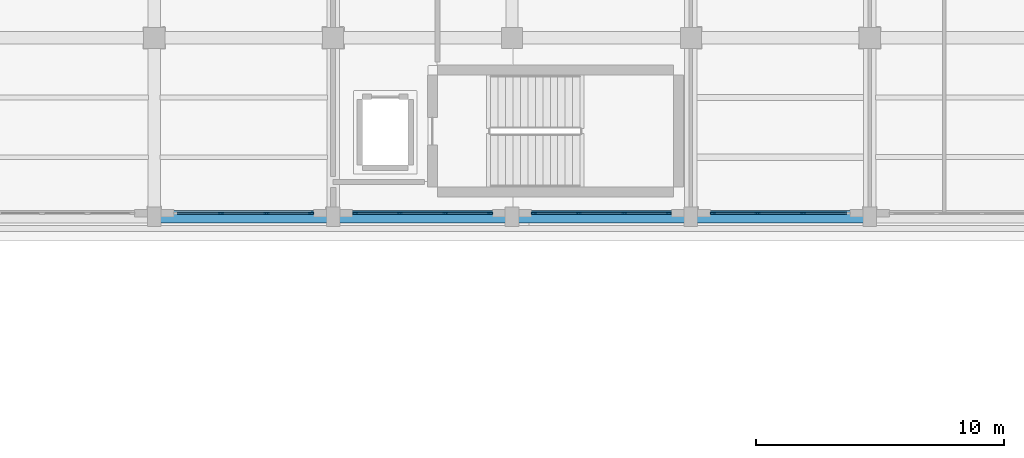
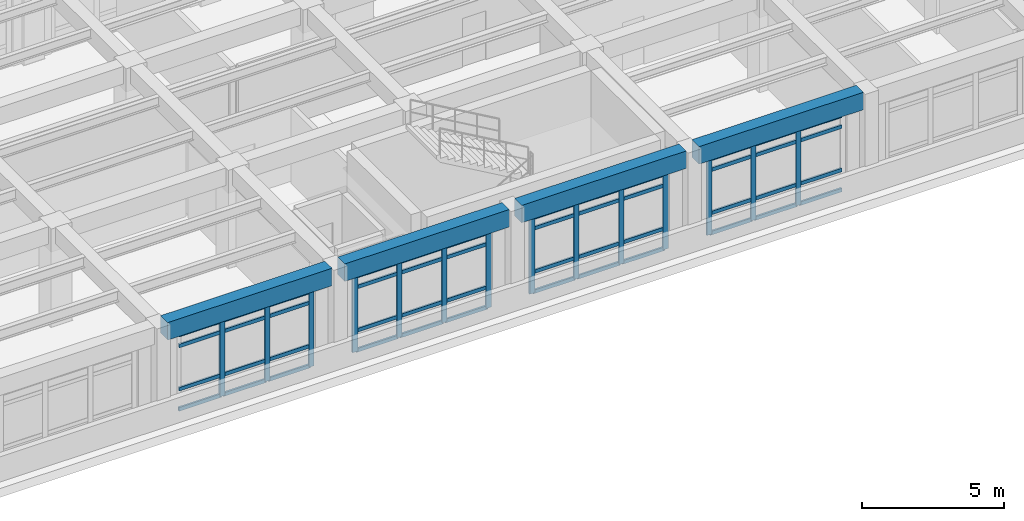
# One storey, part 22 of 69: 62 members, 4 beams, 4 elements without a shape of their own.
"""IFC4 building model written with IfcOpenShell, lengths in metres."""

from ifc_helpers import new_model, si_unit, direction, frame, origin, origin_2d, place, context, subcontext, project, spatial, rectangle, extrude, material, layer, layer_set, material_profile, profile_set, type_object, element, aggregate, save


model = new_model("IFC4")

# Units and contexts
model_context = context("Model", 3, precision=1e-05, world=origin(), true_north=direction((0.0, 1.0)))
body_context = subcontext(model_context, "Body", "Model", "MODEL_VIEW")
ifc_project = project(units=[si_unit("LENGTHUNIT", "METRE"), si_unit("AREAUNIT", "SQUARE_METRE"), si_unit("VOLUMEUNIT", "CUBIC_METRE"), si_unit("PLANEANGLEUNIT", "RADIAN"), si_unit("MASSUNIT", "GRAM", prefix="KILO")], contexts=[model_context])

# Site, building, storey
site_placement = place(None, origin())
site = spatial("IfcSite", under=ifc_project, at=site_placement, CompositionType="ELEMENT")
building_placement = place(site_placement, origin())
building = spatial("IfcBuilding", under=site, at=building_placement, Name="Solenvale Faculty of Natural Sciences", CompositionType="ELEMENT")
storey_placement = place(building_placement, frame((0.0, 0.0, 4.5)))
storey = spatial("IfcBuildingStorey", under=building, at=storey_placement, Name="L01", CompositionType="ELEMENT", Elevation=4.5)

# Beams
ifc_material_1 = material(Name="Concrete 40 MPa", Category="concrete")
ifc_material_profile_1 = material_profile(ifc_material_1, rectangle(XDim=0.5, YDim=0.75, at=origin_2d()), Name="RC-BM-500x750")
ifc_profile_set_1 = profile_set([ifc_material_profile_1], Name="Concrete 40 MPa")
beam_type = type_object("IfcBeamType", Name="BM-RC-500x750", PredefinedType="BEAM", material=ifc_profile_set_1)
beam_1_placement = place(storey_placement, frame((93.85498046875, 93.60009765625, 3.844970703125), z_axis=(1.0, 0.0, 0.0), x_axis=(0.0, 1.0, 0.0)))
element("IfcBeam", 1, at=beam_1_placement, inside=storey, type_object=beam_type, Name="L01 X-Girder Y93.6 (93.6..100.8)", PredefinedType="BEAM", context=body_context, shape_type="SweptSolid", body=[
    extrude(rectangle(XDim=0.5, YDim=0.75, at=origin_2d()), origin(), (0.0, 0.0, 1.0), 6.68994140625),
])
for number, where, z_axis, x_axis, name in (
    (2, (101.054931640625, 93.60009765625, 3.844970703125), (1.0, 0.0, 0.0), (0.0, 1.0, 0.0), "L01 X-Girder Y93.6 (100.8..108.0)"),
    (3, (108.2548828125, 93.60009765625, 3.844970703125), (1.0, 0.0, 0.0), (0.0, 1.0, 0.0), "L01 X-Girder Y93.6 (108.0..115.2)"),
):
    element("IfcBeam", number, at=place(storey_placement, frame(where, z_axis=z_axis, x_axis=x_axis)), inside=storey, type_object=beam_type, Name=name, PredefinedType="BEAM", context=body_context, shape_type="SweptSolid", body=[
        extrude(rectangle(XDim=0.5, YDim=0.75, at=origin_2d()), origin(), (0.0, 0.0, 1.0), 6.690185546875),
    ])
beam_2_placement = place(storey_placement, frame((115.455078125, 93.60009765625, 3.844970703125), z_axis=(1.0, 0.0, 0.0), x_axis=(0.0, 1.0, 0.0)))
element("IfcBeam", 4, at=beam_2_placement, inside=storey, type_object=beam_type, Name="L01 X-Girder Y93.6 (115.2..122.4)", PredefinedType="BEAM", context=body_context, shape_type="SweptSolid", body=[
    extrude(rectangle(XDim=0.5, YDim=0.75, at=origin_2d()), origin(), (0.0, 0.0, 1.0), 6.68994140625),
])

# Curtain wall, members
ifc_material_2 = material(Name="Anodised bronze aluminium", Category="aluminium")
ifc_layer = layer(ifc_material_2, 0.179931640625)
ifc_layer_set = layer_set([ifc_layer], Name="Anodised bronze aluminium")
curtain_wall_type = type_object("IfcCurtainWallType", Name="CW-TWR-MOD", PredefinedType="USERDEFINED", material=ifc_layer_set)
curtain_wall_1_placement = place(storey_placement, origin())
curtain_wall_1 = element("IfcCurtainWall", 5, at=curtain_wall_1_placement, inside=storey, type_object=curtain_wall_type, Name="L01 Curtain Wall CW-L01-P2-E6-B3", ObjectType="UNITISED CURTAIN WALL", PredefinedType="USERDEFINED")
ifc_material_profile_2 = material_profile(ifc_material_2, rectangle(XDim=0.074951171875, YDim=0.2099609375, at=origin_2d()), Name="ALU-MUL-75x210")
ifc_profile_set_2 = profile_set([ifc_material_profile_2], Name="Anodised bronze aluminium")
member_type_1 = type_object("IfcMemberType", Name="CWM-ALU-75x210", PredefinedType="MULLION", material=ifc_profile_set_2)
member_1_placement = place(storey_placement, frame((96.283447265625, 93.742431640625, 0.0), z_axis=(0.0, 0.0, 1.0), x_axis=(0.0, 1.0, 0.0)))
member_1 = element("IfcMember", 6, at=member_1_placement, type_object=member_type_1, Name="CW-04 mullion 2", PredefinedType="MULLION", context=body_context, shape_type="SweptSolid", body=[
    extrude(rectangle(XDim=0.074951171875, YDim=0.2099609375, at=origin_2d()), origin(), (0.0, 0.0, 1.0), 3.260009765625),
])
member_2_placement = place(storey_placement, frame((98.11669921875, 93.742431640625, 0.0), z_axis=(0.0, 0.0, 1.0), x_axis=(0.0, 1.0, 0.0)))
member_2 = element("IfcMember", 7, at=member_2_placement, type_object=member_type_1, Name="CW-04 mullion 3", PredefinedType="MULLION", context=body_context, shape_type="SweptSolid", body=[
    extrude(rectangle(XDim=0.074951171875, YDim=0.2099609375, at=origin_2d()), origin(), (0.0, 0.0, 1.0), 3.260009765625),
])
member_3_placement = place(storey_placement, frame((99.91259765625, 93.742431640625, 0.0), z_axis=(0.0, 0.0, 1.0), x_axis=(0.0, 1.0, 0.0)))
member_3 = element("IfcMember", 8, at=member_3_placement, type_object=member_type_1, Name="CW-04 mullion 4", PredefinedType="MULLION", context=body_context, shape_type="SweptSolid", body=[
    extrude(rectangle(XDim=0.074951171875, YDim=0.2099609375, at=origin_2d()), origin(), (0.0, 0.0, 1.0), 3.260009765625),
])

curtain_wall_2_placement = place(storey_placement, origin())
curtain_wall_2 = element("IfcCurtainWall", 9, at=curtain_wall_2_placement, inside=storey, type_object=curtain_wall_type, Name="L01 Curtain Wall CW-L01-P2-E6-B4", ObjectType="UNITISED CURTAIN WALL", PredefinedType="USERDEFINED")
member_4_placement = place(storey_placement, frame((101.6875, 93.742431640625, 0.0), z_axis=(0.0, 0.0, 1.0), x_axis=(0.0, 1.0, 0.0)))
member_4 = element("IfcMember", 10, at=member_4_placement, type_object=member_type_1, Name="CW-04 mullion 1", PredefinedType="MULLION", context=body_context, shape_type="SweptSolid", body=[
    extrude(rectangle(XDim=0.074951171875, YDim=0.2099609375, at=origin_2d()), origin(), (0.0, 0.0, 1.0), 3.260009765625),
])
member_5_placement = place(storey_placement, frame((103.4833984375, 93.742431640625, 0.0), z_axis=(0.0, 0.0, 1.0), x_axis=(0.0, 1.0, 0.0)))
member_5 = element("IfcMember", 11, at=member_5_placement, type_object=member_type_1, Name="CW-04 mullion 2", PredefinedType="MULLION", context=body_context, shape_type="SweptSolid", body=[
    extrude(rectangle(XDim=0.074951171875, YDim=0.2099609375, at=origin_2d()), origin(), (0.0, 0.0, 1.0), 3.260009765625),
])
member_6_placement = place(storey_placement, frame((105.316650390625, 93.742431640625, 0.0), z_axis=(0.0, 0.0, 1.0), x_axis=(0.0, 1.0, 0.0)))
member_6 = element("IfcMember", 12, at=member_6_placement, type_object=member_type_1, Name="CW-04 mullion 3", PredefinedType="MULLION", context=body_context, shape_type="SweptSolid", body=[
    extrude(rectangle(XDim=0.074951171875, YDim=0.2099609375, at=origin_2d()), origin(), (0.0, 0.0, 1.0), 3.260009765625),
])
member_7_placement = place(storey_placement, frame((107.112548828125, 93.742431640625, 0.0), z_axis=(0.0, 0.0, 1.0), x_axis=(0.0, 1.0, 0.0)))
member_7 = element("IfcMember", 13, at=member_7_placement, type_object=member_type_1, Name="CW-04 mullion 4", PredefinedType="MULLION", context=body_context, shape_type="SweptSolid", body=[
    extrude(rectangle(XDim=0.074951171875, YDim=0.2099609375, at=origin_2d()), origin(), (0.0, 0.0, 1.0), 3.260009765625),
])

curtain_wall_3_placement = place(storey_placement, origin())
curtain_wall_3 = element("IfcCurtainWall", 14, at=curtain_wall_3_placement, inside=storey, type_object=curtain_wall_type, Name="L01 Curtain Wall CW-L01-P2-E6-B5", ObjectType="UNITISED CURTAIN WALL", PredefinedType="USERDEFINED")
member_8_placement = place(storey_placement, frame((108.887451171875, 93.742431640625, 0.0), z_axis=(0.0, 0.0, 1.0), x_axis=(0.0, 1.0, 0.0)))
member_8 = element("IfcMember", 15, at=member_8_placement, type_object=member_type_1, Name="CW-04 mullion 1", PredefinedType="MULLION", context=body_context, shape_type="SweptSolid", body=[
    extrude(rectangle(XDim=0.074951171875, YDim=0.2099609375, at=origin_2d()), origin(), (0.0, 0.0, 1.0), 3.260009765625),
])
member_9_placement = place(storey_placement, frame((110.683349609375, 93.742431640625, 0.0), z_axis=(0.0, 0.0, 1.0), x_axis=(0.0, 1.0, 0.0)))
member_9 = element("IfcMember", 16, at=member_9_placement, type_object=member_type_1, Name="CW-04 mullion 2", PredefinedType="MULLION", context=body_context, shape_type="SweptSolid", body=[
    extrude(rectangle(XDim=0.074951171875, YDim=0.2099609375, at=origin_2d()), origin(), (0.0, 0.0, 1.0), 3.260009765625),
])
member_10_placement = place(storey_placement, frame((112.5166015625, 93.742431640625, 0.0), z_axis=(0.0, 0.0, 1.0), x_axis=(0.0, 1.0, 0.0)))
member_10 = element("IfcMember", 17, at=member_10_placement, type_object=member_type_1, Name="CW-04 mullion 3", PredefinedType="MULLION", context=body_context, shape_type="SweptSolid", body=[
    extrude(rectangle(XDim=0.074951171875, YDim=0.2099609375, at=origin_2d()), origin(), (0.0, 0.0, 1.0), 3.260009765625),
])
member_11_placement = place(storey_placement, frame((114.3125, 93.742431640625, 0.0), z_axis=(0.0, 0.0, 1.0), x_axis=(0.0, 1.0, 0.0)))
member_11 = element("IfcMember", 18, at=member_11_placement, type_object=member_type_1, Name="CW-04 mullion 4", PredefinedType="MULLION", context=body_context, shape_type="SweptSolid", body=[
    extrude(rectangle(XDim=0.074951171875, YDim=0.2099609375, at=origin_2d()), origin(), (0.0, 0.0, 1.0), 3.260009765625),
])

curtain_wall_4_placement = place(storey_placement, origin())
curtain_wall_4 = element("IfcCurtainWall", 19, at=curtain_wall_4_placement, inside=storey, type_object=curtain_wall_type, Name="L01 Curtain Wall CW-L01-P2-E6-B6", ObjectType="UNITISED CURTAIN WALL", PredefinedType="USERDEFINED")
member_12_placement = place(storey_placement, frame((116.08740234375, 93.742431640625, 0.0), z_axis=(0.0, 0.0, 1.0), x_axis=(0.0, 1.0, 0.0)))
member_12 = element("IfcMember", 20, at=member_12_placement, type_object=member_type_1, Name="CW-04 mullion 1", PredefinedType="MULLION", context=body_context, shape_type="SweptSolid", body=[
    extrude(rectangle(XDim=0.074951171875, YDim=0.2099609375, at=origin_2d()), origin(), (0.0, 0.0, 1.0), 3.260009765625),
])
member_13_placement = place(storey_placement, frame((117.88330078125, 93.742431640625, 0.0), z_axis=(0.0, 0.0, 1.0), x_axis=(0.0, 1.0, 0.0)))
member_13 = element("IfcMember", 21, at=member_13_placement, type_object=member_type_1, Name="CW-04 mullion 2", PredefinedType="MULLION", context=body_context, shape_type="SweptSolid", body=[
    extrude(rectangle(XDim=0.074951171875, YDim=0.2099609375, at=origin_2d()), origin(), (0.0, 0.0, 1.0), 3.260009765625),
])
member_14_placement = place(storey_placement, frame((119.716552734375, 93.742431640625, 0.0), z_axis=(0.0, 0.0, 1.0), x_axis=(0.0, 1.0, 0.0)))
member_14 = element("IfcMember", 22, at=member_14_placement, type_object=member_type_1, Name="CW-04 mullion 3", PredefinedType="MULLION", context=body_context, shape_type="SweptSolid", body=[
    extrude(rectangle(XDim=0.074951171875, YDim=0.2099609375, at=origin_2d()), origin(), (0.0, 0.0, 1.0), 3.260009765625),
])

# Member
ifc_material_profile_3 = material_profile(ifc_material_2, rectangle(XDim=0.074951171875, YDim=0.155029296875, at=origin_2d()), Name="ALU-TRN-75x155")
ifc_profile_set_3 = profile_set([ifc_material_profile_3], Name="Anodised bronze aluminium")
member_type_2 = type_object("IfcMemberType", Name="CWT-ALU-75x155", PredefinedType="USERDEFINED", material=ifc_profile_set_3)
member_15_placement = place(storey_placement, frame((94.52490234375, 93.742431640625, 0.03759765625), z_axis=(1.0, 0.0, 0.0), x_axis=(0.0, 1.0, 0.0)))
member_15 = element("IfcMember", 23, at=member_15_placement, type_object=member_type_2, Name="CW-04 transom 1.1", ObjectType="TRANSOM", PredefinedType="USERDEFINED", context=body_context, shape_type="SweptSolid", body=[
    extrude(rectangle(XDim=0.074951171875, YDim=0.155029296875, at=origin_2d()), origin(), (0.0, 0.0, 1.0), 1.720947265625),
])

member_16_placement = place(storey_placement, frame((94.52490234375, 93.742431640625, 0.89990234375), z_axis=(1.0, 0.0, 0.0), x_axis=(0.0, 1.0, 0.0)))
member_16 = element("IfcMember", 24, at=member_16_placement, type_object=member_type_2, Name="CW-04 transom 1.2", ObjectType="TRANSOM", PredefinedType="USERDEFINED", context=body_context, shape_type="SweptSolid", body=[
    extrude(rectangle(XDim=0.074951171875, YDim=0.155029296875, at=origin_2d()), origin(), (0.0, 0.0, 1.0), 1.720947265625),
])

member_17_placement = place(storey_placement, frame((94.52490234375, 93.742431640625, 2.760009765625), z_axis=(1.0, 0.0, 0.0), x_axis=(0.0, 1.0, 0.0)))
member_17 = element("IfcMember", 25, at=member_17_placement, type_object=member_type_2, Name="CW-04 transom 1.3", ObjectType="TRANSOM", PredefinedType="USERDEFINED", context=body_context, shape_type="SweptSolid", body=[
    extrude(rectangle(XDim=0.074951171875, YDim=0.155029296875, at=origin_2d()), origin(), (0.0, 0.0, 1.0), 1.720947265625),
])

member_18_placement = place(storey_placement, frame((94.52490234375, 93.742431640625, 3.222412109375), z_axis=(1.0, 0.0, 0.0), x_axis=(0.0, 1.0, 0.0)))
member_18 = element("IfcMember", 26, at=member_18_placement, type_object=member_type_2, Name="CW-04 transom 1.4", ObjectType="TRANSOM", PredefinedType="USERDEFINED", context=body_context, shape_type="SweptSolid", body=[
    extrude(rectangle(XDim=0.074951171875, YDim=0.155029296875, at=origin_2d()), origin(), (0.0, 0.0, 1.0), 1.720947265625),
])

member_19_placement = place(storey_placement, frame((96.32080078125, 93.742431640625, 0.03759765625), z_axis=(1.0, 0.0, 0.0), x_axis=(0.0, 1.0, 0.0)))
member_19 = element("IfcMember", 27, at=member_19_placement, type_object=member_type_2, Name="CW-04 transom 2.1", ObjectType="TRANSOM", PredefinedType="USERDEFINED", context=body_context, shape_type="SweptSolid", body=[
    extrude(rectangle(XDim=0.074951171875, YDim=0.155029296875, at=origin_2d()), origin(), (0.0, 0.0, 1.0), 1.75830078125),
])

member_20_placement = place(storey_placement, frame((96.32080078125, 93.742431640625, 0.89990234375), z_axis=(1.0, 0.0, 0.0), x_axis=(0.0, 1.0, 0.0)))
member_20 = element("IfcMember", 28, at=member_20_placement, type_object=member_type_2, Name="CW-04 transom 2.2", ObjectType="TRANSOM", PredefinedType="USERDEFINED", context=body_context, shape_type="SweptSolid", body=[
    extrude(rectangle(XDim=0.074951171875, YDim=0.155029296875, at=origin_2d()), origin(), (0.0, 0.0, 1.0), 1.75830078125),
])

member_21_placement = place(storey_placement, frame((96.32080078125, 93.742431640625, 2.760009765625), z_axis=(1.0, 0.0, 0.0), x_axis=(0.0, 1.0, 0.0)))
member_21 = element("IfcMember", 29, at=member_21_placement, type_object=member_type_2, Name="CW-04 transom 2.3", ObjectType="TRANSOM", PredefinedType="USERDEFINED", context=body_context, shape_type="SweptSolid", body=[
    extrude(rectangle(XDim=0.074951171875, YDim=0.155029296875, at=origin_2d()), origin(), (0.0, 0.0, 1.0), 1.75830078125),
])

member_22_placement = place(storey_placement, frame((96.32080078125, 93.742431640625, 3.222412109375), z_axis=(1.0, 0.0, 0.0), x_axis=(0.0, 1.0, 0.0)))
member_22 = element("IfcMember", 30, at=member_22_placement, type_object=member_type_2, Name="CW-04 transom 2.4", ObjectType="TRANSOM", PredefinedType="USERDEFINED", context=body_context, shape_type="SweptSolid", body=[
    extrude(rectangle(XDim=0.074951171875, YDim=0.155029296875, at=origin_2d()), origin(), (0.0, 0.0, 1.0), 1.75830078125),
])

member_23_placement = place(storey_placement, frame((98.154052734375, 93.742431640625, 0.03759765625), z_axis=(1.0, 0.0, 0.0), x_axis=(0.0, 1.0, 0.0)))
member_23 = element("IfcMember", 31, at=member_23_placement, type_object=member_type_2, Name="CW-04 transom 3.1", ObjectType="TRANSOM", PredefinedType="USERDEFINED", context=body_context, shape_type="SweptSolid", body=[
    extrude(rectangle(XDim=0.074951171875, YDim=0.155029296875, at=origin_2d()), origin(), (0.0, 0.0, 1.0), 1.720947265625),
])

member_24_placement = place(storey_placement, frame((98.154052734375, 93.742431640625, 0.89990234375), z_axis=(1.0, 0.0, 0.0), x_axis=(0.0, 1.0, 0.0)))
member_24 = element("IfcMember", 32, at=member_24_placement, type_object=member_type_2, Name="CW-04 transom 3.2", ObjectType="TRANSOM", PredefinedType="USERDEFINED", context=body_context, shape_type="SweptSolid", body=[
    extrude(rectangle(XDim=0.074951171875, YDim=0.155029296875, at=origin_2d()), origin(), (0.0, 0.0, 1.0), 1.720947265625),
])

member_25_placement = place(storey_placement, frame((98.154052734375, 93.742431640625, 2.760009765625), z_axis=(1.0, 0.0, 0.0), x_axis=(0.0, 1.0, 0.0)))
member_25 = element("IfcMember", 33, at=member_25_placement, type_object=member_type_2, Name="CW-04 transom 3.3", ObjectType="TRANSOM", PredefinedType="USERDEFINED", context=body_context, shape_type="SweptSolid", body=[
    extrude(rectangle(XDim=0.074951171875, YDim=0.155029296875, at=origin_2d()), origin(), (0.0, 0.0, 1.0), 1.720947265625),
])

member_26_placement = place(storey_placement, frame((98.154052734375, 93.742431640625, 3.222412109375), z_axis=(1.0, 0.0, 0.0), x_axis=(0.0, 1.0, 0.0)))
member_26 = element("IfcMember", 34, at=member_26_placement, type_object=member_type_2, Name="CW-04 transom 3.4", ObjectType="TRANSOM", PredefinedType="USERDEFINED", context=body_context, shape_type="SweptSolid", body=[
    extrude(rectangle(XDim=0.074951171875, YDim=0.155029296875, at=origin_2d()), origin(), (0.0, 0.0, 1.0), 1.720947265625),
])

aggregate(curtain_wall_1, [member_1, member_2, member_3, member_15, member_16, member_17, member_18, member_19, member_20, member_21, member_22, member_23, member_24, member_25, member_26])

member_27_placement = place(storey_placement, frame((101.72509765625, 93.742431640625, 0.03759765625), z_axis=(1.0, 0.0, 0.0), x_axis=(0.0, 1.0, 0.0)))
member_27 = element("IfcMember", 35, at=member_27_placement, type_object=member_type_2, Name="CW-04 transom 1.1", ObjectType="TRANSOM", PredefinedType="USERDEFINED", context=body_context, shape_type="SweptSolid", body=[
    extrude(rectangle(XDim=0.074951171875, YDim=0.155029296875, at=origin_2d()), origin(), (0.0, 0.0, 1.0), 1.720703125),
])

member_28_placement = place(storey_placement, frame((101.72509765625, 93.742431640625, 0.89990234375), z_axis=(1.0, 0.0, 0.0), x_axis=(0.0, 1.0, 0.0)))
member_28 = element("IfcMember", 36, at=member_28_placement, type_object=member_type_2, Name="CW-04 transom 1.2", ObjectType="TRANSOM", PredefinedType="USERDEFINED", context=body_context, shape_type="SweptSolid", body=[
    extrude(rectangle(XDim=0.074951171875, YDim=0.155029296875, at=origin_2d()), origin(), (0.0, 0.0, 1.0), 1.720703125),
])

member_29_placement = place(storey_placement, frame((101.72509765625, 93.742431640625, 2.760009765625), z_axis=(1.0, 0.0, 0.0), x_axis=(0.0, 1.0, 0.0)))
member_29 = element("IfcMember", 37, at=member_29_placement, type_object=member_type_2, Name="CW-04 transom 1.3", ObjectType="TRANSOM", PredefinedType="USERDEFINED", context=body_context, shape_type="SweptSolid", body=[
    extrude(rectangle(XDim=0.074951171875, YDim=0.155029296875, at=origin_2d()), origin(), (0.0, 0.0, 1.0), 1.720703125),
])

member_30_placement = place(storey_placement, frame((101.72509765625, 93.742431640625, 3.222412109375), z_axis=(1.0, 0.0, 0.0), x_axis=(0.0, 1.0, 0.0)))
member_30 = element("IfcMember", 38, at=member_30_placement, type_object=member_type_2, Name="CW-04 transom 1.4", ObjectType="TRANSOM", PredefinedType="USERDEFINED", context=body_context, shape_type="SweptSolid", body=[
    extrude(rectangle(XDim=0.074951171875, YDim=0.155029296875, at=origin_2d()), origin(), (0.0, 0.0, 1.0), 1.720703125),
])

member_31_placement = place(storey_placement, frame((103.520751953125, 93.742431640625, 0.03759765625), z_axis=(1.0, 0.0, 0.0), x_axis=(0.0, 1.0, 0.0)))
member_31 = element("IfcMember", 39, at=member_31_placement, type_object=member_type_2, Name="CW-04 transom 2.1", ObjectType="TRANSOM", PredefinedType="USERDEFINED", context=body_context, shape_type="SweptSolid", body=[
    extrude(rectangle(XDim=0.074951171875, YDim=0.155029296875, at=origin_2d()), origin(), (0.0, 0.0, 1.0), 1.75830078125),
])

member_32_placement = place(storey_placement, frame((103.520751953125, 93.742431640625, 0.89990234375), z_axis=(1.0, 0.0, 0.0), x_axis=(0.0, 1.0, 0.0)))
member_32 = element("IfcMember", 40, at=member_32_placement, type_object=member_type_2, Name="CW-04 transom 2.2", ObjectType="TRANSOM", PredefinedType="USERDEFINED", context=body_context, shape_type="SweptSolid", body=[
    extrude(rectangle(XDim=0.074951171875, YDim=0.155029296875, at=origin_2d()), origin(), (0.0, 0.0, 1.0), 1.75830078125),
])

member_33_placement = place(storey_placement, frame((103.520751953125, 93.742431640625, 2.760009765625), z_axis=(1.0, 0.0, 0.0), x_axis=(0.0, 1.0, 0.0)))
member_33 = element("IfcMember", 41, at=member_33_placement, type_object=member_type_2, Name="CW-04 transom 2.3", ObjectType="TRANSOM", PredefinedType="USERDEFINED", context=body_context, shape_type="SweptSolid", body=[
    extrude(rectangle(XDim=0.074951171875, YDim=0.155029296875, at=origin_2d()), origin(), (0.0, 0.0, 1.0), 1.75830078125),
])

member_34_placement = place(storey_placement, frame((103.520751953125, 93.742431640625, 3.222412109375), z_axis=(1.0, 0.0, 0.0), x_axis=(0.0, 1.0, 0.0)))
member_34 = element("IfcMember", 42, at=member_34_placement, type_object=member_type_2, Name="CW-04 transom 2.4", ObjectType="TRANSOM", PredefinedType="USERDEFINED", context=body_context, shape_type="SweptSolid", body=[
    extrude(rectangle(XDim=0.074951171875, YDim=0.155029296875, at=origin_2d()), origin(), (0.0, 0.0, 1.0), 1.75830078125),
])

member_35_placement = place(storey_placement, frame((105.354248046875, 93.742431640625, 0.03759765625), z_axis=(1.0, 0.0, 0.0), x_axis=(0.0, 1.0, 0.0)))
member_35 = element("IfcMember", 43, at=member_35_placement, type_object=member_type_2, Name="CW-04 transom 3.1", ObjectType="TRANSOM", PredefinedType="USERDEFINED", context=body_context, shape_type="SweptSolid", body=[
    extrude(rectangle(XDim=0.074951171875, YDim=0.155029296875, at=origin_2d()), origin(), (0.0, 0.0, 1.0), 1.720703125),
])

member_36_placement = place(storey_placement, frame((105.354248046875, 93.742431640625, 0.89990234375), z_axis=(1.0, 0.0, 0.0), x_axis=(0.0, 1.0, 0.0)))
member_36 = element("IfcMember", 44, at=member_36_placement, type_object=member_type_2, Name="CW-04 transom 3.2", ObjectType="TRANSOM", PredefinedType="USERDEFINED", context=body_context, shape_type="SweptSolid", body=[
    extrude(rectangle(XDim=0.074951171875, YDim=0.155029296875, at=origin_2d()), origin(), (0.0, 0.0, 1.0), 1.720703125),
])

member_37_placement = place(storey_placement, frame((105.354248046875, 93.742431640625, 2.760009765625), z_axis=(1.0, 0.0, 0.0), x_axis=(0.0, 1.0, 0.0)))
member_37 = element("IfcMember", 45, at=member_37_placement, type_object=member_type_2, Name="CW-04 transom 3.3", ObjectType="TRANSOM", PredefinedType="USERDEFINED", context=body_context, shape_type="SweptSolid", body=[
    extrude(rectangle(XDim=0.074951171875, YDim=0.155029296875, at=origin_2d()), origin(), (0.0, 0.0, 1.0), 1.720703125),
])

member_38_placement = place(storey_placement, frame((105.354248046875, 93.742431640625, 3.222412109375), z_axis=(1.0, 0.0, 0.0), x_axis=(0.0, 1.0, 0.0)))
member_38 = element("IfcMember", 46, at=member_38_placement, type_object=member_type_2, Name="CW-04 transom 3.4", ObjectType="TRANSOM", PredefinedType="USERDEFINED", context=body_context, shape_type="SweptSolid", body=[
    extrude(rectangle(XDim=0.074951171875, YDim=0.155029296875, at=origin_2d()), origin(), (0.0, 0.0, 1.0), 1.720703125),
])

aggregate(curtain_wall_2, [member_4, member_5, member_6, member_7, member_27, member_28, member_29, member_30, member_31, member_32, member_33, member_34, member_35, member_36, member_37, member_38])

member_39_placement = place(storey_placement, frame((108.925048828125, 93.742431640625, 0.03759765625), z_axis=(1.0, 0.0, 0.0), x_axis=(0.0, 1.0, 0.0)))
member_39 = element("IfcMember", 47, at=member_39_placement, type_object=member_type_2, Name="CW-04 transom 1.1", ObjectType="TRANSOM", PredefinedType="USERDEFINED", context=body_context, shape_type="SweptSolid", body=[
    extrude(rectangle(XDim=0.074951171875, YDim=0.155029296875, at=origin_2d()), origin(), (0.0, 0.0, 1.0), 1.720703125),
])

member_40_placement = place(storey_placement, frame((108.925048828125, 93.742431640625, 0.89990234375), z_axis=(1.0, 0.0, 0.0), x_axis=(0.0, 1.0, 0.0)))
member_40 = element("IfcMember", 48, at=member_40_placement, type_object=member_type_2, Name="CW-04 transom 1.2", ObjectType="TRANSOM", PredefinedType="USERDEFINED", context=body_context, shape_type="SweptSolid", body=[
    extrude(rectangle(XDim=0.074951171875, YDim=0.155029296875, at=origin_2d()), origin(), (0.0, 0.0, 1.0), 1.720703125),
])

member_41_placement = place(storey_placement, frame((108.925048828125, 93.742431640625, 2.760009765625), z_axis=(1.0, 0.0, 0.0), x_axis=(0.0, 1.0, 0.0)))
member_41 = element("IfcMember", 49, at=member_41_placement, type_object=member_type_2, Name="CW-04 transom 1.3", ObjectType="TRANSOM", PredefinedType="USERDEFINED", context=body_context, shape_type="SweptSolid", body=[
    extrude(rectangle(XDim=0.074951171875, YDim=0.155029296875, at=origin_2d()), origin(), (0.0, 0.0, 1.0), 1.720703125),
])

member_42_placement = place(storey_placement, frame((108.925048828125, 93.742431640625, 3.222412109375), z_axis=(1.0, 0.0, 0.0), x_axis=(0.0, 1.0, 0.0)))
member_42 = element("IfcMember", 50, at=member_42_placement, type_object=member_type_2, Name="CW-04 transom 1.4", ObjectType="TRANSOM", PredefinedType="USERDEFINED", context=body_context, shape_type="SweptSolid", body=[
    extrude(rectangle(XDim=0.074951171875, YDim=0.155029296875, at=origin_2d()), origin(), (0.0, 0.0, 1.0), 1.720703125),
])

member_43_placement = place(storey_placement, frame((110.720947265625, 93.742431640625, 0.03759765625), z_axis=(1.0, 0.0, 0.0), x_axis=(0.0, 1.0, 0.0)))
member_43 = element("IfcMember", 51, at=member_43_placement, type_object=member_type_2, Name="CW-04 transom 2.1", ObjectType="TRANSOM", PredefinedType="USERDEFINED", context=body_context, shape_type="SweptSolid", body=[
    extrude(rectangle(XDim=0.074951171875, YDim=0.155029296875, at=origin_2d()), origin(), (0.0, 0.0, 1.0), 1.75830078125),
])

member_44_placement = place(storey_placement, frame((110.720947265625, 93.742431640625, 0.89990234375), z_axis=(1.0, 0.0, 0.0), x_axis=(0.0, 1.0, 0.0)))
member_44 = element("IfcMember", 52, at=member_44_placement, type_object=member_type_2, Name="CW-04 transom 2.2", ObjectType="TRANSOM", PredefinedType="USERDEFINED", context=body_context, shape_type="SweptSolid", body=[
    extrude(rectangle(XDim=0.074951171875, YDim=0.155029296875, at=origin_2d()), origin(), (0.0, 0.0, 1.0), 1.75830078125),
])

member_45_placement = place(storey_placement, frame((110.720947265625, 93.742431640625, 2.760009765625), z_axis=(1.0, 0.0, 0.0), x_axis=(0.0, 1.0, 0.0)))
member_45 = element("IfcMember", 53, at=member_45_placement, type_object=member_type_2, Name="CW-04 transom 2.3", ObjectType="TRANSOM", PredefinedType="USERDEFINED", context=body_context, shape_type="SweptSolid", body=[
    extrude(rectangle(XDim=0.074951171875, YDim=0.155029296875, at=origin_2d()), origin(), (0.0, 0.0, 1.0), 1.75830078125),
])

member_46_placement = place(storey_placement, frame((110.720947265625, 93.742431640625, 3.222412109375), z_axis=(1.0, 0.0, 0.0), x_axis=(0.0, 1.0, 0.0)))
member_46 = element("IfcMember", 54, at=member_46_placement, type_object=member_type_2, Name="CW-04 transom 2.4", ObjectType="TRANSOM", PredefinedType="USERDEFINED", context=body_context, shape_type="SweptSolid", body=[
    extrude(rectangle(XDim=0.074951171875, YDim=0.155029296875, at=origin_2d()), origin(), (0.0, 0.0, 1.0), 1.75830078125),
])

member_47_placement = place(storey_placement, frame((112.55419921875, 93.742431640625, 0.03759765625), z_axis=(1.0, 0.0, 0.0), x_axis=(0.0, 1.0, 0.0)))
member_47 = element("IfcMember", 55, at=member_47_placement, type_object=member_type_2, Name="CW-04 transom 3.1", ObjectType="TRANSOM", PredefinedType="USERDEFINED", context=body_context, shape_type="SweptSolid", body=[
    extrude(rectangle(XDim=0.074951171875, YDim=0.155029296875, at=origin_2d()), origin(), (0.0, 0.0, 1.0), 1.720703125),
])

member_48_placement = place(storey_placement, frame((112.55419921875, 93.742431640625, 0.89990234375), z_axis=(1.0, 0.0, 0.0), x_axis=(0.0, 1.0, 0.0)))
member_48 = element("IfcMember", 56, at=member_48_placement, type_object=member_type_2, Name="CW-04 transom 3.2", ObjectType="TRANSOM", PredefinedType="USERDEFINED", context=body_context, shape_type="SweptSolid", body=[
    extrude(rectangle(XDim=0.074951171875, YDim=0.155029296875, at=origin_2d()), origin(), (0.0, 0.0, 1.0), 1.720703125),
])

member_49_placement = place(storey_placement, frame((112.55419921875, 93.742431640625, 2.760009765625), z_axis=(1.0, 0.0, 0.0), x_axis=(0.0, 1.0, 0.0)))
member_49 = element("IfcMember", 57, at=member_49_placement, type_object=member_type_2, Name="CW-04 transom 3.3", ObjectType="TRANSOM", PredefinedType="USERDEFINED", context=body_context, shape_type="SweptSolid", body=[
    extrude(rectangle(XDim=0.074951171875, YDim=0.155029296875, at=origin_2d()), origin(), (0.0, 0.0, 1.0), 1.720703125),
])

member_50_placement = place(storey_placement, frame((112.55419921875, 93.742431640625, 3.222412109375), z_axis=(1.0, 0.0, 0.0), x_axis=(0.0, 1.0, 0.0)))
member_50 = element("IfcMember", 58, at=member_50_placement, type_object=member_type_2, Name="CW-04 transom 3.4", ObjectType="TRANSOM", PredefinedType="USERDEFINED", context=body_context, shape_type="SweptSolid", body=[
    extrude(rectangle(XDim=0.074951171875, YDim=0.155029296875, at=origin_2d()), origin(), (0.0, 0.0, 1.0), 1.720703125),
])

aggregate(curtain_wall_3, [member_8, member_9, member_10, member_11, member_39, member_40, member_41, member_42, member_43, member_44, member_45, member_46, member_47, member_48, member_49, member_50])

member_51_placement = place(storey_placement, frame((116.125, 93.742431640625, 0.03759765625), z_axis=(1.0, 0.0, 0.0), x_axis=(0.0, 1.0, 0.0)))
member_51 = element("IfcMember", 59, at=member_51_placement, type_object=member_type_2, Name="CW-04 transom 1.1", ObjectType="TRANSOM", PredefinedType="USERDEFINED", context=body_context, shape_type="SweptSolid", body=[
    extrude(rectangle(XDim=0.074951171875, YDim=0.155029296875, at=origin_2d()), origin(), (0.0, 0.0, 1.0), 1.720947265625),
])

member_52_placement = place(storey_placement, frame((116.125, 93.742431640625, 0.89990234375), z_axis=(1.0, 0.0, 0.0), x_axis=(0.0, 1.0, 0.0)))
member_52 = element("IfcMember", 60, at=member_52_placement, type_object=member_type_2, Name="CW-04 transom 1.2", ObjectType="TRANSOM", PredefinedType="USERDEFINED", context=body_context, shape_type="SweptSolid", body=[
    extrude(rectangle(XDim=0.074951171875, YDim=0.155029296875, at=origin_2d()), origin(), (0.0, 0.0, 1.0), 1.720947265625),
])

member_53_placement = place(storey_placement, frame((116.125, 93.742431640625, 2.760009765625), z_axis=(1.0, 0.0, 0.0), x_axis=(0.0, 1.0, 0.0)))
member_53 = element("IfcMember", 61, at=member_53_placement, type_object=member_type_2, Name="CW-04 transom 1.3", ObjectType="TRANSOM", PredefinedType="USERDEFINED", context=body_context, shape_type="SweptSolid", body=[
    extrude(rectangle(XDim=0.074951171875, YDim=0.155029296875, at=origin_2d()), origin(), (0.0, 0.0, 1.0), 1.720947265625),
])

member_54_placement = place(storey_placement, frame((116.125, 93.742431640625, 3.222412109375), z_axis=(1.0, 0.0, 0.0), x_axis=(0.0, 1.0, 0.0)))
member_54 = element("IfcMember", 62, at=member_54_placement, type_object=member_type_2, Name="CW-04 transom 1.4", ObjectType="TRANSOM", PredefinedType="USERDEFINED", context=body_context, shape_type="SweptSolid", body=[
    extrude(rectangle(XDim=0.074951171875, YDim=0.155029296875, at=origin_2d()), origin(), (0.0, 0.0, 1.0), 1.720947265625),
])

member_55_placement = place(storey_placement, frame((117.9208984375, 93.742431640625, 0.03759765625), z_axis=(1.0, 0.0, 0.0), x_axis=(0.0, 1.0, 0.0)))
member_55 = element("IfcMember", 63, at=member_55_placement, type_object=member_type_2, Name="CW-04 transom 2.1", ObjectType="TRANSOM", PredefinedType="USERDEFINED", context=body_context, shape_type="SweptSolid", body=[
    extrude(rectangle(XDim=0.074951171875, YDim=0.155029296875, at=origin_2d()), origin(), (0.0, 0.0, 1.0), 1.75830078125),
])

member_56_placement = place(storey_placement, frame((117.9208984375, 93.742431640625, 0.89990234375), z_axis=(1.0, 0.0, 0.0), x_axis=(0.0, 1.0, 0.0)))
member_56 = element("IfcMember", 64, at=member_56_placement, type_object=member_type_2, Name="CW-04 transom 2.2", ObjectType="TRANSOM", PredefinedType="USERDEFINED", context=body_context, shape_type="SweptSolid", body=[
    extrude(rectangle(XDim=0.074951171875, YDim=0.155029296875, at=origin_2d()), origin(), (0.0, 0.0, 1.0), 1.75830078125),
])

member_57_placement = place(storey_placement, frame((117.9208984375, 93.742431640625, 2.760009765625), z_axis=(1.0, 0.0, 0.0), x_axis=(0.0, 1.0, 0.0)))
member_57 = element("IfcMember", 65, at=member_57_placement, type_object=member_type_2, Name="CW-04 transom 2.3", ObjectType="TRANSOM", PredefinedType="USERDEFINED", context=body_context, shape_type="SweptSolid", body=[
    extrude(rectangle(XDim=0.074951171875, YDim=0.155029296875, at=origin_2d()), origin(), (0.0, 0.0, 1.0), 1.75830078125),
])

member_58_placement = place(storey_placement, frame((117.9208984375, 93.742431640625, 3.222412109375), z_axis=(1.0, 0.0, 0.0), x_axis=(0.0, 1.0, 0.0)))
member_58 = element("IfcMember", 66, at=member_58_placement, type_object=member_type_2, Name="CW-04 transom 2.4", ObjectType="TRANSOM", PredefinedType="USERDEFINED", context=body_context, shape_type="SweptSolid", body=[
    extrude(rectangle(XDim=0.074951171875, YDim=0.155029296875, at=origin_2d()), origin(), (0.0, 0.0, 1.0), 1.75830078125),
])

member_59_placement = place(storey_placement, frame((119.754150390625, 93.742431640625, 0.03759765625), z_axis=(1.0, 0.0, 0.0), x_axis=(0.0, 1.0, 0.0)))
member_59 = element("IfcMember", 67, at=member_59_placement, type_object=member_type_2, Name="CW-04 transom 3.1", ObjectType="TRANSOM", PredefinedType="USERDEFINED", context=body_context, shape_type="SweptSolid", body=[
    extrude(rectangle(XDim=0.074951171875, YDim=0.155029296875, at=origin_2d()), origin(), (0.0, 0.0, 1.0), 1.720947265625),
])

member_60_placement = place(storey_placement, frame((119.754150390625, 93.742431640625, 0.89990234375), z_axis=(1.0, 0.0, 0.0), x_axis=(0.0, 1.0, 0.0)))
member_60 = element("IfcMember", 68, at=member_60_placement, type_object=member_type_2, Name="CW-04 transom 3.2", ObjectType="TRANSOM", PredefinedType="USERDEFINED", context=body_context, shape_type="SweptSolid", body=[
    extrude(rectangle(XDim=0.074951171875, YDim=0.155029296875, at=origin_2d()), origin(), (0.0, 0.0, 1.0), 1.720947265625),
])

member_61_placement = place(storey_placement, frame((119.754150390625, 93.742431640625, 2.760009765625), z_axis=(1.0, 0.0, 0.0), x_axis=(0.0, 1.0, 0.0)))
member_61 = element("IfcMember", 69, at=member_61_placement, type_object=member_type_2, Name="CW-04 transom 3.3", ObjectType="TRANSOM", PredefinedType="USERDEFINED", context=body_context, shape_type="SweptSolid", body=[
    extrude(rectangle(XDim=0.074951171875, YDim=0.155029296875, at=origin_2d()), origin(), (0.0, 0.0, 1.0), 1.720947265625),
])

member_62_placement = place(storey_placement, frame((119.754150390625, 93.742431640625, 3.222412109375), z_axis=(1.0, 0.0, 0.0), x_axis=(0.0, 1.0, 0.0)))
member_62 = element("IfcMember", 70, at=member_62_placement, type_object=member_type_2, Name="CW-04 transom 3.4", ObjectType="TRANSOM", PredefinedType="USERDEFINED", context=body_context, shape_type="SweptSolid", body=[
    extrude(rectangle(XDim=0.074951171875, YDim=0.155029296875, at=origin_2d()), origin(), (0.0, 0.0, 1.0), 1.720947265625),
])

aggregate(curtain_wall_4, [member_12, member_13, member_14, member_51, member_52, member_53, member_54, member_55, member_56, member_57, member_58, member_59, member_60, member_61, member_62])

save(model, "model.ifc")
